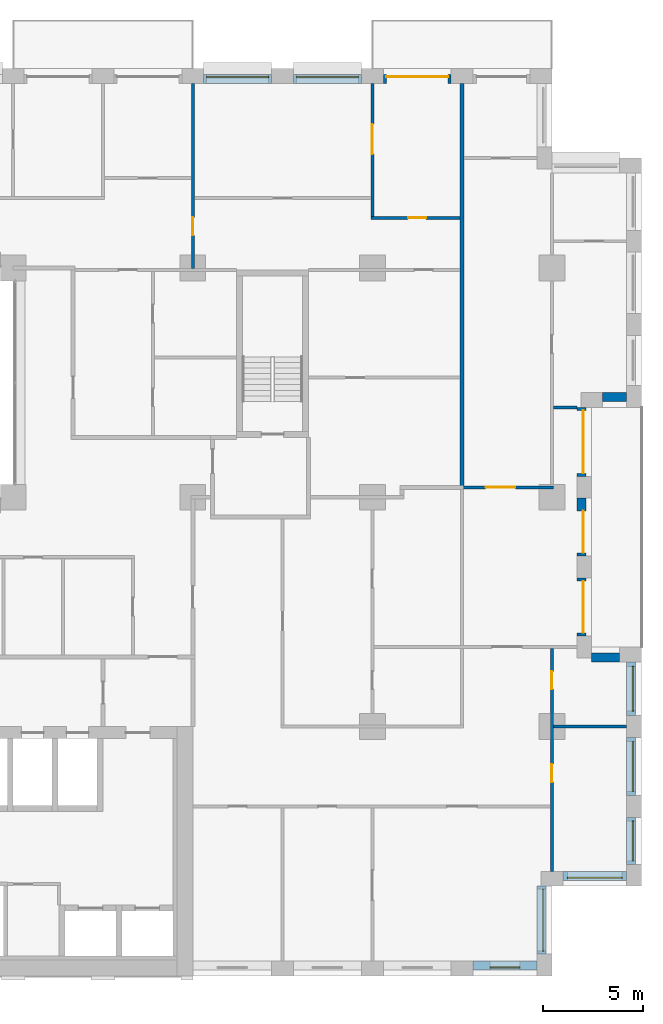
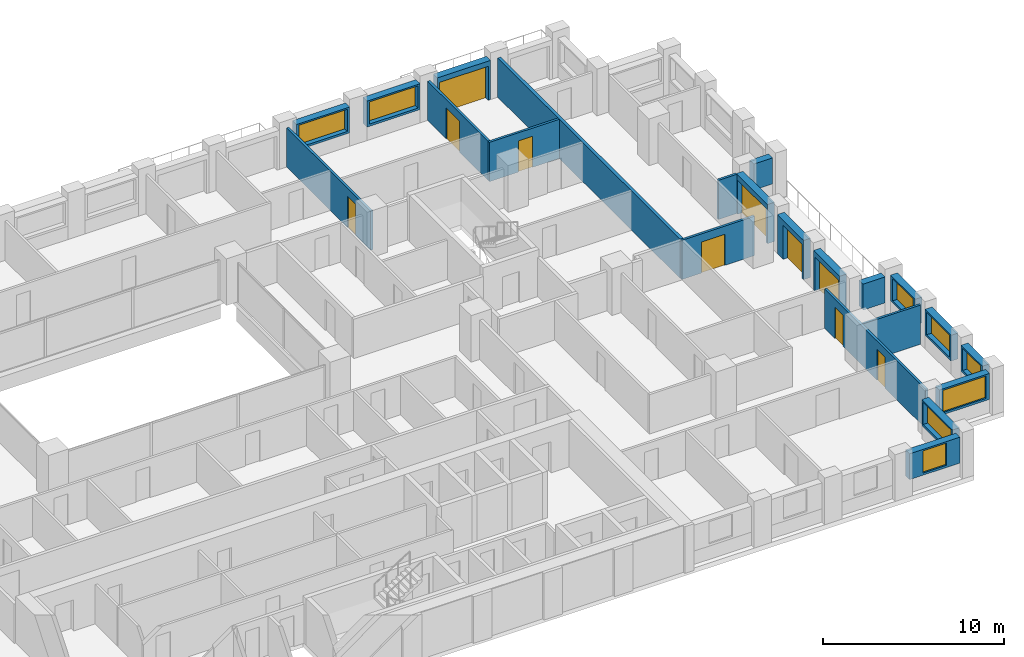
# One storey, part 14 of 17: 22 walls, 10 doors, 8 windows, 18 openings.
"""IFC4 building model written with IfcOpenShell, lengths in metres."""

from ifc_helpers import new_model, si_unit, direction, frame, frame_2d, origin, place, context, subcontext, project, spatial, rectangle, extrude, material, layer, layer_set, type_object, element, fill, save


model = new_model("IFC4")

# Units and contexts
model_context = context("Model", 3, precision=1e-05, world=origin(), true_north=direction((0.0, 1.0)))
body_context = subcontext(model_context, "Body", "Model", "MODEL_VIEW")
ifc_project = project(units=[si_unit("LENGTHUNIT", "METRE"), si_unit("AREAUNIT", "SQUARE_METRE"), si_unit("VOLUMEUNIT", "CUBIC_METRE"), si_unit("PLANEANGLEUNIT", "RADIAN"), si_unit("MASSUNIT", "GRAM", prefix="KILO")], contexts=[model_context])

# Site, building, storey
site_placement = place(None, origin())
site = spatial("IfcSite", under=ifc_project, at=site_placement, CompositionType="ELEMENT")
building_placement = place(site_placement, origin())
building = spatial("IfcBuilding", under=site, at=building_placement, Name="Brigalow Station Residences", CompositionType="ELEMENT")
storey_placement = place(building_placement, frame((0.0, 0.0, 127.64990234375)))
storey = spatial("IfcBuildingStorey", under=building, at=storey_placement, Name="L37", CompositionType="ELEMENT", Elevation=127.64990234375)

# Wall, opening, window
ifc_material_1 = material(Name="Clay brick masonry", Category="masonry")
ifc_layer_1 = layer(ifc_material_1, 0.449951171875)
ifc_layer_set_1 = layer_set([ifc_layer_1], Name="BRICK INFILL WALL 450")
wall_type_1 = type_object("IfcWallType", Name="BRICK INFILL WALL 450", PredefinedType="SOLIDWALL", material=ifc_layer_set_1)
wall_1_placement = place(storey_placement, frame((68.050048828125, 0.52490234375, 0.900146484375), z_axis=(0.0, 0.0, 1.0), x_axis=(1.0, 0.0, 0.0)))
wall_1 = element("IfcWall", 1, at=wall_1_placement, inside=storey, type_object=wall_type_1, Name="L37/ewall/W-L37-7", PredefinedType="SOLIDWALL", context=body_context, shape_type="SweptSolid", body=[
    extrude(rectangle(XDim=3.199951171875, YDim=0.449951171875, at=frame_2d((1.60009765625, 0.0))), origin(), (0.0, 0.0, 1.0), 1.75),
])
opening_1_placement = place(wall_1_placement, frame((0.85009765625, 0.0, 0.14990234375)))
opening_1 = element("IfcOpeningElement", 2, at=opening_1_placement, cuts=wall_1, Name="Opening WT-1", PredefinedType="OPENING", context=body_context, shape_type="SweptSolid", body=[
    extrude(rectangle(XDim=1.5, YDim=1.5, at=frame_2d((0.75, 0.75))), frame((0.0, 0.23486328125, 0.0), z_axis=(0.0, -1.0, 0.0), x_axis=(1.0, 0.0, 0.0)), (0.0, 0.0, 1.0), 0.469970703125),
])
ifc_material_2 = material(Name="Anodised aluminium frame with double glazing", Category="aluminium")
window_type_1 = type_object("IfcWindowType", Name="WINDOW 1500x1500", PartitioningType="SINGLE_PANEL", PredefinedType="WINDOW", material=ifc_material_2)
window_1_placement = place(opening_1_placement, origin())
window_1 = element("IfcWindow", 3, at=window_1_placement, inside=storey, type_object=window_type_1, Name="L37/window/W-L37-7", OverallHeight=1.5, OverallWidth=1.5, PartitioningType="SINGLE_PANEL", PredefinedType="WINDOW", context=body_context, shape_type="SweptSolid", body=[
    extrude(rectangle(XDim=1.5, YDim=1.5, at=frame_2d((0.75, 0.75))), frame((0.0, -0.06494140625, 0.0), z_axis=(0.0, -1.0, 0.0), x_axis=(1.0, 0.0, 0.0)), (0.0, 0.0, 1.0), 0.06005859375),
])
fill(opening_1, window_1)

wall_2_placement = place(storey_placement, frame((71.47509765625, 1.10009765625, 0.900146484375), z_axis=(0.0, 0.0, 1.0), x_axis=(0.0, 1.0, 0.0)))
wall_2 = element("IfcWall", 4, at=wall_2_placement, inside=storey, type_object=wall_type_1, Name="L37/ewall/W-L37-8", PredefinedType="SOLIDWALL", context=body_context, shape_type="SweptSolid", body=[
    extrude(rectangle(XDim=3.39990234375, YDim=0.449951171875, at=frame_2d((1.699951171875, 0.0))), origin(), (0.0, 0.0, 1.0), 1.75),
])
opening_2_placement = place(wall_2_placement, frame((0.14990234375, 0.0, 0.14990234375)))
opening_2 = element("IfcOpeningElement", 5, at=opening_2_placement, cuts=wall_2, Name="Opening WT-8", PredefinedType="OPENING", context=body_context, shape_type="SweptSolid", body=[
    extrude(rectangle(XDim=3.10009765625, YDim=1.5, at=frame_2d((1.550048828125, 0.75))), frame((0.0, 0.23486328125, 0.0), z_axis=(0.0, -1.0, 0.0), x_axis=(1.0, 0.0, 0.0)), (0.0, 0.0, 1.0), 0.469970703125),
])
ifc_material_3 = material(Name="Anodised aluminium frame with double glazing", Category="aluminium")
window_type_2 = type_object("IfcWindowType", Name="WINDOW 3100x1500", PartitioningType="SINGLE_PANEL", PredefinedType="WINDOW", material=ifc_material_3)
window_2_placement = place(opening_2_placement, origin())
window_2 = element("IfcWindow", 6, at=window_2_placement, inside=storey, type_object=window_type_2, Name="L37/window/W-L37-8", OverallHeight=1.5, OverallWidth=3.10009765625, PartitioningType="SINGLE_PANEL", PredefinedType="WINDOW", context=body_context, shape_type="SweptSolid", body=[
    extrude(rectangle(XDim=3.10009765625, YDim=1.5, at=frame_2d((1.550048828125, 0.75))), frame((0.0, -0.06494140625, 0.0), z_axis=(0.0, -1.0, 0.0), x_axis=(1.0, 0.0, 0.0)), (0.0, 0.0, 1.0), 0.06005859375),
])
fill(opening_2, window_2)

wall_3_placement = place(storey_placement, frame((72.550048828125, 5.02490234375, 0.900146484375), z_axis=(0.0, 0.0, 1.0), x_axis=(1.0, 0.0, 0.0)))
wall_3 = element("IfcWall", 7, at=wall_3_placement, inside=storey, type_object=wall_type_1, Name="L37/ewall/W-L37-9", PredefinedType="SOLIDWALL", context=body_context, shape_type="SweptSolid", body=[
    extrude(rectangle(XDim=3.199951171875, YDim=0.449951171875, at=frame_2d((1.60009765625, 0.0))), origin(), (0.0, 0.0, 1.0), 1.75),
])
opening_3_placement = place(wall_3_placement, frame((0.22509765625, 0.0, 0.14990234375)))
opening_3 = element("IfcOpeningElement", 8, at=opening_3_placement, cuts=wall_3, Name="Opening WT-3", PredefinedType="OPENING", context=body_context, shape_type="SweptSolid", body=[
    extrude(rectangle(XDim=2.75, YDim=1.5, at=frame_2d((1.375, 0.75))), frame((0.0, 0.23486328125, 0.0), z_axis=(0.0, -1.0, 0.0), x_axis=(1.0, 0.0, 0.0)), (0.0, 0.0, 1.0), 0.469970703125),
])
ifc_material_4 = material(Name="Anodised aluminium frame with double glazing", Category="aluminium")
window_type_3 = type_object("IfcWindowType", Name="WINDOW 2750x1500", PartitioningType="SINGLE_PANEL", PredefinedType="WINDOW", material=ifc_material_4)
window_3_placement = place(opening_3_placement, origin())
window_3 = element("IfcWindow", 9, at=window_3_placement, inside=storey, type_object=window_type_3, Name="L37/window/W-L37-9", OverallHeight=1.5, OverallWidth=2.75, PartitioningType="SINGLE_PANEL", PredefinedType="WINDOW", context=body_context, shape_type="SweptSolid", body=[
    extrude(rectangle(XDim=2.75, YDim=1.5, at=frame_2d((1.375, 0.75))), frame((0.0, -0.06494140625, 0.0), z_axis=(0.0, -1.0, 0.0), x_axis=(1.0, 0.0, 0.0)), (0.0, 0.0, 1.0), 0.06005859375),
])
fill(opening_3, window_3)

wall_4_placement = place(storey_placement, frame((75.97509765625, 5.60009765625, 0.900146484375), z_axis=(0.0, 0.0, 1.0), x_axis=(0.0, 1.0, 0.0)))
wall_4 = element("IfcWall", 10, at=wall_4_placement, inside=storey, type_object=wall_type_1, Name="L37/ewall/W-L37-10", PredefinedType="SOLIDWALL", context=body_context, shape_type="SweptSolid", body=[
    extrude(rectangle(XDim=2.349853515625, YDim=0.449951171875, at=frame_2d((1.1748046875, 0.0))), origin(), (0.0, 0.0, 1.0), 1.75),
])
opening_4_placement = place(wall_4_placement, frame((0.175048828125, 0.0, 0.14990234375)))
opening_4 = element("IfcOpeningElement", 11, at=opening_4_placement, cuts=wall_4, Name="Opening WT-7", PredefinedType="OPENING", context=body_context, shape_type="SweptSolid", body=[
    extrude(rectangle(XDim=2.0, YDim=1.5, at=frame_2d((1.0, 0.75))), frame((0.0, 0.23486328125, 0.0), z_axis=(0.0, -1.0, 0.0), x_axis=(1.0, 0.0, 0.0)), (0.0, 0.0, 1.0), 0.469970703125),
])
ifc_material_5 = material(Name="Anodised aluminium frame with double glazing", Category="aluminium")
window_type_4 = type_object("IfcWindowType", Name="WINDOW 2000x1500", PartitioningType="SINGLE_PANEL", PredefinedType="WINDOW", material=ifc_material_5)
window_4_placement = place(opening_4_placement, origin())
window_4 = element("IfcWindow", 12, at=window_4_placement, inside=storey, type_object=window_type_4, Name="L37/window/W-L37-10", OverallHeight=1.5, OverallWidth=2.0, PartitioningType="SINGLE_PANEL", PredefinedType="WINDOW", context=body_context, shape_type="SweptSolid", body=[
    extrude(rectangle(XDim=2.0, YDim=1.5, at=frame_2d((1.0, 0.75))), frame((0.0, -0.06494140625, 0.0), z_axis=(0.0, -1.0, 0.0), x_axis=(1.0, 0.0, 0.0)), (0.0, 0.0, 1.0), 0.06005859375),
])
fill(opening_4, window_4)

wall_5_placement = place(storey_placement, frame((75.97509765625, 9.050048828125, 0.900146484375), z_axis=(0.0, 0.0, 1.0), x_axis=(0.0, 1.0, 0.0)))
wall_5 = element("IfcWall", 13, at=wall_5_placement, inside=storey, type_object=wall_type_1, Name="L37/ewall/W-L37-11", PredefinedType="SOLIDWALL", context=body_context, shape_type="SweptSolid", body=[
    extrude(rectangle(XDim=2.89990234375, YDim=0.449951171875, at=frame_2d((1.449951171875, 0.0))), origin(), (0.0, 0.0, 1.0), 1.75),
])
opening_5_placement = place(wall_5_placement, frame((0.199951171875, 0.0, 0.14990234375)))
opening_5 = element("IfcOpeningElement", 14, at=opening_5_placement, cuts=wall_5, Name="Opening WT-5", PredefinedType="OPENING", context=body_context, shape_type="SweptSolid", body=[
    extrude(rectangle(XDim=2.5, YDim=1.5, at=frame_2d((1.25, 0.75))), frame((0.0, 0.23486328125, 0.0), z_axis=(0.0, -1.0, 0.0), x_axis=(1.0, 0.0, 0.0)), (0.0, 0.0, 1.0), 0.469970703125),
])
ifc_material_6 = material(Name="Anodised aluminium frame with double glazing", Category="aluminium")
window_type_5 = type_object("IfcWindowType", Name="WINDOW 2500x1500", PartitioningType="SINGLE_PANEL", PredefinedType="WINDOW", material=ifc_material_6)
window_5_placement = place(opening_5_placement, origin())
window_5 = element("IfcWindow", 15, at=window_5_placement, inside=storey, type_object=window_type_5, Name="L37/window/W-L37-11", OverallHeight=1.5, OverallWidth=2.5, PartitioningType="SINGLE_PANEL", PredefinedType="WINDOW", context=body_context, shape_type="SweptSolid", body=[
    extrude(rectangle(XDim=2.5, YDim=1.5, at=frame_2d((1.25, 0.75))), frame((0.0, -0.06494140625, 0.0), z_axis=(0.0, -1.0, 0.0), x_axis=(1.0, 0.0, 0.0)), (0.0, 0.0, 1.0), 0.06005859375),
])
fill(opening_5, window_5)

wall_6_placement = place(storey_placement, frame((75.97509765625, 13.050048828125, 0.900146484375), z_axis=(0.0, 0.0, 1.0), x_axis=(0.0, 1.0, 0.0)))
wall_6 = element("IfcWall", 16, at=wall_6_placement, inside=storey, type_object=wall_type_1, Name="L37/ewall/W-L37-12", PredefinedType="SOLIDWALL", context=body_context, shape_type="SweptSolid", body=[
    extrude(rectangle(XDim=2.699951171875, YDim=0.449951171875, at=frame_2d((1.35009765625, 0.0))), origin(), (0.0, 0.0, 1.0), 1.75),
])
opening_6_placement = place(wall_6_placement, frame((0.22509765625, 0.0, 0.14990234375)))
opening_6 = element("IfcOpeningElement", 17, at=opening_6_placement, cuts=wall_6, Name="Opening WT-6", PredefinedType="OPENING", context=body_context, shape_type="SweptSolid", body=[
    extrude(rectangle(XDim=2.25, YDim=1.5, at=frame_2d((1.125, 0.75))), frame((0.0, 0.23486328125, 0.0), z_axis=(0.0, -1.0, 0.0), x_axis=(1.0, 0.0, 0.0)), (0.0, 0.0, 1.0), 0.469970703125),
])
ifc_material_7 = material(Name="Anodised aluminium frame with double glazing", Category="aluminium")
window_type_6 = type_object("IfcWindowType", Name="WINDOW 2250x1500", PartitioningType="SINGLE_PANEL", PredefinedType="WINDOW", material=ifc_material_7)
window_6_placement = place(opening_6_placement, origin())
window_6 = element("IfcWindow", 18, at=window_6_placement, inside=storey, type_object=window_type_6, Name="L37/window/W-L37-12", OverallHeight=1.5, OverallWidth=2.25, PartitioningType="SINGLE_PANEL", PredefinedType="WINDOW", context=body_context, shape_type="SweptSolid", body=[
    extrude(rectangle(XDim=2.25, YDim=1.5, at=frame_2d((1.125, 0.75))), frame((0.0, -0.06494140625, 0.0), z_axis=(0.0, -1.0, 0.0), x_axis=(1.0, 0.0, 0.0)), (0.0, 0.0, 1.0), 0.06005859375),
])
fill(opening_6, window_6)

# Wall
wall_7_placement = place(storey_placement, frame((75.39990234375, 15.97509765625, 0.900146484375), z_axis=(0.0, 0.0, 1.0), x_axis=(-1.0, 0.0, 0.0)))
element("IfcWall", 19, at=wall_7_placement, inside=storey, type_object=wall_type_1, Name="L37/ewall/W-L37-13", PredefinedType="SOLIDWALL", context=body_context, shape_type="SweptSolid", body=[
    extrude(rectangle(XDim=1.39990234375, YDim=0.449951171875, at=frame_2d((0.699951171875, 0.0))), origin(), (0.0, 0.0, 1.0), 1.75),
])

# Wall, opening, door
wall_8_placement = place(storey_placement, frame((73.47509765625, 17.050048828125, 0.0), z_axis=(0.0, 0.0, 1.0), x_axis=(0.0, 1.0, 0.0)))
wall_8 = element("IfcWall", 20, at=wall_8_placement, inside=storey, type_object=wall_type_1, Name="L37/ewall/W-L37-14", PredefinedType="SOLIDWALL", context=body_context, shape_type="SweptSolid", body=[
    extrude(rectangle(XDim=2.89990234375, YDim=0.449951171875, at=frame_2d((1.449951171875, 0.0))), origin(), (0.0, 0.0, 1.0), 2.650146484375),
])
opening_7_placement = place(wall_8_placement, frame((0.14990234375, 0.0, 0.0)))
opening_7 = element("IfcOpeningElement", 21, at=opening_7_placement, cuts=wall_8, Name="Opening D-B2600", PredefinedType="OPENING", context=body_context, shape_type="SweptSolid", body=[
    extrude(rectangle(XDim=2.60009765625, YDim=2.300048828125, at=frame_2d((1.300048828125, 1.14990234375))), frame((0.0, 0.23486328125, 0.0), z_axis=(0.0, -1.0, 0.0), x_axis=(1.0, 0.0, 0.0)), (0.0, 0.0, 1.0), 0.469970703125),
])
ifc_material_8 = material(Name="Anodised aluminium frame with double glazing", Category="aluminium")
door_type_1 = type_object("IfcDoorType", Name="BALCONY SLIDING DOOR 2600x2300", OperationType="SLIDING_TO_LEFT", PredefinedType="DOOR", material=ifc_material_8)
door_1_placement = place(opening_7_placement, origin())
door_1 = element("IfcDoor", 22, at=door_1_placement, inside=storey, type_object=door_type_1, Name="L37/balcony-door/W-L37-14", OperationType="SLIDING_TO_LEFT", OverallHeight=2.300048828125, OverallWidth=2.60009765625, PredefinedType="DOOR", context=body_context, shape_type="SweptSolid", body=[
    extrude(rectangle(XDim=2.60009765625, YDim=2.300048828125, at=frame_2d((1.300048828125, 1.14990234375))), frame((0.0, -0.06982421875, 0.0), z_axis=(0.0, -1.0, 0.0), x_axis=(1.0, 0.0, 0.0)), (0.0, 0.0, 1.0), 0.050048828125),
])
fill(opening_7, door_1)

wall_9_placement = place(storey_placement, frame((73.47509765625, 21.050048828125, 0.0), z_axis=(0.0, 0.0, 1.0), x_axis=(0.0, 1.0, 0.0)))
wall_9 = element("IfcWall", 23, at=wall_9_placement, inside=storey, type_object=wall_type_1, Name="L37/ewall/W-L37-15", PredefinedType="SOLIDWALL", context=body_context, shape_type="SweptSolid", body=[
    extrude(rectangle(XDim=2.89990234375, YDim=0.449951171875, at=frame_2d((1.449951171875, 0.0))), origin(), (0.0, 0.0, 1.0), 2.650146484375),
])
opening_8_placement = place(wall_9_placement, frame((0.1650390625, 0.0, 0.0)))
opening_8 = element("IfcOpeningElement", 24, at=opening_8_placement, cuts=wall_9, Name="Opening D-B2100", PredefinedType="OPENING", context=body_context, shape_type="SweptSolid", body=[
    extrude(rectangle(XDim=2.10009765625, YDim=2.300048828125, at=frame_2d((1.050048828125, 1.14990234375))), frame((0.0, 0.23486328125, 0.0), z_axis=(0.0, -1.0, 0.0), x_axis=(1.0, 0.0, 0.0)), (0.0, 0.0, 1.0), 0.469970703125),
])
ifc_material_9 = material(Name="Anodised aluminium frame with double glazing", Category="aluminium")
door_type_2 = type_object("IfcDoorType", Name="BALCONY SLIDING DOOR 2100x2300", OperationType="SLIDING_TO_LEFT", PredefinedType="DOOR", material=ifc_material_9)
door_2_placement = place(opening_8_placement, origin())
door_2 = element("IfcDoor", 25, at=door_2_placement, inside=storey, type_object=door_type_2, Name="L37/balcony-door/W-L37-15", OperationType="SLIDING_TO_LEFT", OverallHeight=2.300048828125, OverallWidth=2.10009765625, PredefinedType="DOOR", context=body_context, shape_type="SweptSolid", body=[
    extrude(rectangle(XDim=2.10009765625, YDim=2.300048828125, at=frame_2d((1.050048828125, 1.14990234375))), frame((0.0, -0.06982421875, 0.0), z_axis=(0.0, -1.0, 0.0), x_axis=(1.0, 0.0, 0.0)), (0.0, 0.0, 1.0), 0.050048828125),
])
fill(opening_8, door_2)

wall_10_placement = place(storey_placement, frame((73.47509765625, 25.050048828125, 0.0), z_axis=(0.0, 0.0, 1.0), x_axis=(0.0, 1.0, 0.0)))
wall_10 = element("IfcWall", 26, at=wall_10_placement, inside=storey, type_object=wall_type_1, Name="L37/ewall/W-L37-16", PredefinedType="SOLIDWALL", context=body_context, shape_type="SweptSolid", body=[
    extrude(rectangle(XDim=3.449951171875, YDim=0.449951171875, at=frame_2d((1.72509765625, 0.0))), origin(), (0.0, 0.0, 1.0), 2.650146484375),
])
opening_9_placement = place(wall_10_placement, frame((0.14990234375, 0.0, 0.0)))
opening_9 = element("IfcOpeningElement", 27, at=opening_9_placement, cuts=wall_10, Name="Opening D-B3150", PredefinedType="OPENING", context=body_context, shape_type="SweptSolid", body=[
    extrude(rectangle(XDim=3.14990234375, YDim=2.300048828125, at=frame_2d((1.574951171875, 1.14990234375))), frame((0.0, 0.23486328125, 0.0), z_axis=(0.0, -1.0, 0.0), x_axis=(1.0, 0.0, 0.0)), (0.0, 0.0, 1.0), 0.469970703125),
])
ifc_material_10 = material(Name="Anodised aluminium frame with double glazing", Category="aluminium")
door_type_3 = type_object("IfcDoorType", Name="BALCONY SLIDING DOOR 3150x2300", OperationType="SLIDING_TO_LEFT", PredefinedType="DOOR", material=ifc_material_10)
door_3_placement = place(opening_9_placement, origin())
door_3 = element("IfcDoor", 28, at=door_3_placement, inside=storey, type_object=door_type_3, Name="L37/balcony-door/W-L37-16", OperationType="SLIDING_TO_LEFT", OverallHeight=2.300048828125, OverallWidth=3.14990234375, PredefinedType="DOOR", context=body_context, shape_type="SweptSolid", body=[
    extrude(rectangle(XDim=3.14990234375, YDim=2.300048828125, at=frame_2d((1.574951171875, 1.14990234375))), frame((0.0, -0.06982421875, 0.0), z_axis=(0.0, -1.0, 0.0), x_axis=(1.0, 0.0, 0.0)), (0.0, 0.0, 1.0), 0.050048828125),
])
fill(opening_9, door_3)

# Wall
wall_11_placement = place(storey_placement, frame((74.550048828125, 29.02490234375, 0.900146484375), z_axis=(0.0, 0.0, 1.0), x_axis=(1.0, 0.0, 0.0)))
element("IfcWall", 29, at=wall_11_placement, inside=storey, type_object=wall_type_1, Name="L37/ewall/W-L37-17", PredefinedType="SOLIDWALL", context=body_context, shape_type="SweptSolid", body=[
    extrude(rectangle(XDim=1.199951171875, YDim=0.449951171875, at=frame_2d((0.60009765625, 0.0))), origin(), (0.0, 0.0, 1.0), 1.75),
])

# Wall, opening, door
wall_12_placement = place(storey_placement, frame((66.949951171875, 44.97509765625, 0.0), z_axis=(0.0, 0.0, 1.0), x_axis=(-1.0, 0.0, 0.0)))
wall_12 = element("IfcWall", 30, at=wall_12_placement, inside=storey, type_object=wall_type_1, Name="L37/ewall/W-L37-24", PredefinedType="SOLIDWALL", context=body_context, shape_type="SweptSolid", body=[
    extrude(rectangle(XDim=3.39990234375, YDim=0.449951171875, at=frame_2d((1.699951171875, 0.0))), origin(), (0.0, 0.0, 1.0), 2.650146484375),
])
opening_10_placement = place(wall_12_placement, frame((0.14990234375, 0.0, 0.0)))
opening_10 = element("IfcOpeningElement", 31, at=opening_10_placement, cuts=wall_12, Name="Opening D-B3100", PredefinedType="OPENING", context=body_context, shape_type="SweptSolid", body=[
    extrude(rectangle(XDim=3.10009765625, YDim=2.300048828125, at=frame_2d((1.550048828125, 1.14990234375))), frame((0.0, 0.23486328125, 0.0), z_axis=(0.0, -1.0, 0.0), x_axis=(1.0, 0.0, 0.0)), (0.0, 0.0, 1.0), 0.469970703125),
])
ifc_material_11 = material(Name="Anodised aluminium frame with double glazing", Category="aluminium")
door_type_4 = type_object("IfcDoorType", Name="BALCONY SLIDING DOOR 3100x2300", OperationType="SLIDING_TO_LEFT", PredefinedType="DOOR", material=ifc_material_11)
door_4_placement = place(opening_10_placement, origin())
door_4 = element("IfcDoor", 32, at=door_4_placement, inside=storey, type_object=door_type_4, Name="L37/balcony-door/W-L37-24", OperationType="SLIDING_TO_LEFT", OverallHeight=2.300048828125, OverallWidth=3.10009765625, PredefinedType="DOOR", context=body_context, shape_type="SweptSolid", body=[
    extrude(rectangle(XDim=3.10009765625, YDim=2.300048828125, at=frame_2d((1.550048828125, 1.14990234375))), frame((0.0, -0.06982421875, 0.0), z_axis=(0.0, -1.0, 0.0), x_axis=(1.0, 0.0, 0.0)), (0.0, 0.0, 1.0), 0.050048828125),
])
fill(opening_10, door_4)

# Wall, opening, window
wall_13_placement = place(storey_placement, frame((62.449951171875, 44.97509765625, 0.900146484375), z_axis=(0.0, 0.0, 1.0), x_axis=(-1.0, 0.0, 0.0)))
wall_13 = element("IfcWall", 33, at=wall_13_placement, inside=storey, type_object=wall_type_1, Name="L37/ewall/W-L37-25", PredefinedType="SOLIDWALL", context=body_context, shape_type="SweptSolid", body=[
    extrude(rectangle(XDim=3.39990234375, YDim=0.449951171875, at=frame_2d((1.699951171875, 0.0))), origin(), (0.0, 0.0, 1.0), 1.75),
])
opening_11_placement = place(wall_13_placement, frame((0.14990234375, 0.0, 0.14990234375)))
opening_11 = element("IfcOpeningElement", 34, at=opening_11_placement, cuts=wall_13, Name="Opening WT-8", PredefinedType="OPENING", context=body_context, shape_type="SweptSolid", body=[
    extrude(rectangle(XDim=3.10009765625, YDim=1.5, at=frame_2d((1.550048828125, 0.75))), frame((0.0, 0.23486328125, 0.0), z_axis=(0.0, -1.0, 0.0), x_axis=(1.0, 0.0, 0.0)), (0.0, 0.0, 1.0), 0.469970703125),
])
window_7_placement = place(opening_11_placement, origin())
window_7 = element("IfcWindow", 35, at=window_7_placement, inside=storey, type_object=window_type_2, Name="L37/window/W-L37-25", OverallHeight=1.5, OverallWidth=3.10009765625, PartitioningType="SINGLE_PANEL", PredefinedType="WINDOW", context=body_context, shape_type="SweptSolid", body=[
    extrude(rectangle(XDim=3.10009765625, YDim=1.5, at=frame_2d((1.550048828125, 0.75))), frame((0.0, -0.06494140625, 0.0), z_axis=(0.0, -1.0, 0.0), x_axis=(1.0, 0.0, 0.0)), (0.0, 0.0, 1.0), 0.06005859375),
])
fill(opening_11, window_7)

wall_14_placement = place(storey_placement, frame((57.949951171875, 44.97509765625, 0.900146484375), z_axis=(0.0, 0.0, 1.0), x_axis=(-1.0, 0.0, 0.0)))
wall_14 = element("IfcWall", 36, at=wall_14_placement, inside=storey, type_object=wall_type_1, Name="L37/ewall/W-L37-26", PredefinedType="SOLIDWALL", context=body_context, shape_type="SweptSolid", body=[
    extrude(rectangle(XDim=3.39990234375, YDim=0.449951171875, at=frame_2d((1.699951171875, 0.0))), origin(), (0.0, 0.0, 1.0), 1.75),
])
opening_12_placement = place(wall_14_placement, frame((0.14990234375, 0.0, 0.14990234375)))
opening_12 = element("IfcOpeningElement", 37, at=opening_12_placement, cuts=wall_14, Name="Opening WT-8", PredefinedType="OPENING", context=body_context, shape_type="SweptSolid", body=[
    extrude(rectangle(XDim=3.10009765625, YDim=1.5, at=frame_2d((1.550048828125, 0.75))), frame((0.0, 0.23486328125, 0.0), z_axis=(0.0, -1.0, 0.0), x_axis=(1.0, 0.0, 0.0)), (0.0, 0.0, 1.0), 0.469970703125),
])
window_8_placement = place(opening_12_placement, origin())
window_8 = element("IfcWindow", 38, at=window_8_placement, inside=storey, type_object=window_type_2, Name="L37/window/W-L37-26", OverallHeight=1.5, OverallWidth=3.10009765625, PartitioningType="SINGLE_PANEL", PredefinedType="WINDOW", context=body_context, shape_type="SweptSolid", body=[
    extrude(rectangle(XDim=3.10009765625, YDim=1.5, at=frame_2d((1.550048828125, 0.75))), frame((0.0, -0.06494140625, 0.0), z_axis=(0.0, -1.0, 0.0), x_axis=(1.0, 0.0, 0.0)), (0.0, 0.0, 1.0), 0.06005859375),
])
fill(opening_12, window_8)

# Wall
ifc_material_12 = material(Name="Plasterboard on steel stud partition", Category="steel")
ifc_layer_2 = layer(ifc_material_12, 0.14990234375)
ifc_layer_set_2 = layer_set([ifc_layer_2], Name="FLAT PARTITION 150")
wall_type_2 = type_object("IfcWallType", Name="FLAT PARTITION 150", PredefinedType="PARTITIONING", material=ifc_layer_set_2)
wall_15_placement = place(storey_placement, frame((72.074951171875, 12.5, 0.0), z_axis=(0.0, 0.0, 1.0), x_axis=(1.0, 0.0, 0.0)))
element("IfcWall", 39, at=wall_15_placement, inside=storey, type_object=wall_type_2, Name="PW-2F12", PredefinedType="PARTITIONING", context=body_context, shape_type="SweptSolid", body=[
    extrude(rectangle(XDim=3.675048828125, YDim=0.14990234375, at=frame_2d((1.83740234375, 0.0))), origin(), (0.0, 0.0, 1.0), 2.650146484375),
])

# Wall, opening, door
wall_16_placement = place(storey_placement, frame((67.425048828125, 24.5, 0.0), z_axis=(0.0, 0.0, 1.0), x_axis=(1.0, 0.0, 0.0)))
wall_16 = element("IfcWall", 40, at=wall_16_placement, inside=storey, type_object=wall_type_2, Name="PW-2F18", PredefinedType="PARTITIONING", context=body_context, shape_type="SweptSolid", body=[
    extrude(rectangle(XDim=4.64990234375, YDim=0.14990234375, at=frame_2d((2.324951171875, 0.0))), origin(), (0.0, 0.0, 1.0), 2.650146484375),
])
opening_13_placement = place(wall_16_placement, frame((1.25, 0.0, 0.0)))
opening_13 = element("IfcOpeningElement", 41, at=opening_13_placement, cuts=wall_16, Name="Opening D-2F46", PredefinedType="OPENING", context=body_context, shape_type="SweptSolid", body=[
    extrude(rectangle(XDim=1.5, YDim=2.10009765625, at=frame_2d((0.75, 1.050048828125))), frame((0.0, 0.0849609375, 0.0), z_axis=(0.0, -1.0, 0.0), x_axis=(1.0, 0.0, 0.0)), (0.0, 0.0, 1.0), 0.169921875),
])
ifc_material_13 = material(Name="Solid-core timber door leaf", Category="wood")
door_type_5 = type_object("IfcDoorType", Name="INTERNAL DOUBLE DOOR 1500 x 2100", OperationType="DOUBLE_DOOR_SINGLE_SWING", PredefinedType="DOOR", material=ifc_material_13)
door_5_placement = place(opening_13_placement, frame((1.5, 0.0, 0.0), z_axis=(0.0, 0.0, 1.0), x_axis=(-1.0, 0.0, 0.0)))
door_5 = element("IfcDoor", 42, at=door_5_placement, inside=storey, type_object=door_type_5, Name="D-2F46", OperationType="DOUBLE_DOOR_SINGLE_SWING", OverallHeight=2.10009765625, OverallWidth=1.5, PredefinedType="DOOR", context=body_context, shape_type="SweptSolid", body=[
    extrude(rectangle(XDim=1.5, YDim=2.10009765625, at=frame_2d((0.75, 1.050048828125))), frame((0.0, 0.02490234375, 0.0), z_axis=(0.0, -1.0, 0.0), x_axis=(1.0, 0.0, 0.0)), (0.0, 0.0, 1.0), 0.050048828125),
])
fill(opening_13, door_5)

# Wall
wall_17_placement = place(storey_placement, frame((72.074951171875, 28.5, 0.0), z_axis=(0.0, 0.0, 1.0), x_axis=(1.0, 0.0, 0.0)))
element("IfcWall", 43, at=wall_17_placement, inside=storey, type_object=wall_type_2, Name="PW-2F21", PredefinedType="PARTITIONING", context=body_context, shape_type="SweptSolid", body=[
    extrude(rectangle(XDim=1.175048828125, YDim=0.14990234375, at=frame_2d((0.58740234375, 0.0))), origin(), (0.0, 0.0, 1.0), 2.650146484375),
])

# Wall, opening, door
wall_18_placement = place(storey_placement, frame((62.925048828125, 38.0, 0.0), z_axis=(0.0, 0.0, 1.0), x_axis=(1.0, 0.0, 0.0)))
wall_18 = element("IfcWall", 44, at=wall_18_placement, inside=storey, type_object=wall_type_2, Name="PW-2F36", PredefinedType="PARTITIONING", context=body_context, shape_type="SweptSolid", body=[
    extrude(rectangle(XDim=4.474853515625, YDim=0.14990234375, at=frame_2d((2.2373046875, 0.0))), origin(), (0.0, 0.0, 1.0), 2.650146484375),
])
opening_14_placement = place(wall_18_placement, frame((1.875, 0.0, 0.0)))
opening_14 = element("IfcOpeningElement", 45, at=opening_14_placement, cuts=wall_18, Name="Opening D-2F31", PredefinedType="OPENING", context=body_context, shape_type="SweptSolid", body=[
    extrude(rectangle(XDim=0.89990234375, YDim=2.10009765625, at=frame_2d((0.449951171875, 1.050048828125))), frame((0.0, 0.0849609375, 0.0), z_axis=(0.0, -1.0, 0.0), x_axis=(1.0, 0.0, 0.0)), (0.0, 0.0, 1.0), 0.169921875),
])
ifc_material_14 = material(Name="Solid-core timber door leaf", Category="wood")
door_type_6 = type_object("IfcDoorType", Name="INTERNAL DOOR 900 x 2100", OperationType="SINGLE_SWING_LEFT", PredefinedType="DOOR", material=ifc_material_14)
door_6_placement = place(opening_14_placement, origin())
door_6 = element("IfcDoor", 46, at=door_6_placement, inside=storey, type_object=door_type_6, Name="D-2F31", OperationType="SINGLE_SWING_RIGHT", OverallHeight=2.10009765625, OverallWidth=0.89990234375, PredefinedType="DOOR", context=body_context, shape_type="SweptSolid", body=[
    extrude(rectangle(XDim=0.89990234375, YDim=2.10009765625, at=frame_2d((0.449951171875, 1.050048828125))), frame((0.0, 0.02490234375, 0.0), z_axis=(0.0, -1.0, 0.0), x_axis=(1.0, 0.0, 0.0)), (0.0, 0.0, 1.0), 0.050048828125),
])
fill(opening_14, door_6)

wall_19_placement = place(storey_placement, frame((54.0, 35.47509765625, 0.0), z_axis=(0.0, 0.0, 1.0), x_axis=(0.0, 1.0, 0.0)))
wall_19 = element("IfcWall", 47, at=wall_19_placement, inside=storey, type_object=wall_type_2, Name="PW-2F41", PredefinedType="PARTITIONING", context=body_context, shape_type="SweptSolid", body=[
    extrude(rectangle(XDim=9.27490234375, YDim=0.14990234375, at=frame_2d((4.637451171875, 0.0))), origin(), (0.0, 0.0, 1.0), 2.650146484375),
])
opening_15_placement = place(wall_19_placement, frame((1.64990234375, 0.0, 0.0)))
opening_15 = element("IfcOpeningElement", 48, at=opening_15_placement, cuts=wall_19, Name="Opening D-2F29", PredefinedType="OPENING", context=body_context, shape_type="SweptSolid", body=[
    extrude(rectangle(XDim=0.89990234375, YDim=2.10009765625, at=frame_2d((0.449951171875, 1.050048828125))), frame((0.0, 0.0849609375, 0.0), z_axis=(0.0, -1.0, 0.0), x_axis=(1.0, 0.0, 0.0)), (0.0, 0.0, 1.0), 0.169921875),
])
door_7_placement = place(opening_15_placement, frame((0.89990234375, 0.0, 0.0), z_axis=(0.0, 0.0, 1.0), x_axis=(-1.0, 0.0, 0.0)))
door_7 = element("IfcDoor", 49, at=door_7_placement, inside=storey, type_object=door_type_6, Name="D-2F29", OperationType="SINGLE_SWING_LEFT", OverallHeight=2.10009765625, OverallWidth=0.89990234375, PredefinedType="DOOR", context=body_context, shape_type="SweptSolid", body=[
    extrude(rectangle(XDim=0.89990234375, YDim=2.10009765625, at=frame_2d((0.449951171875, 1.050048828125))), frame((0.0, 0.02490234375, 0.0), z_axis=(0.0, -1.0, 0.0), x_axis=(1.0, 0.0, 0.0)), (0.0, 0.0, 1.0), 0.050048828125),
])
fill(opening_15, door_7)

wall_20_placement = place(storey_placement, frame((63.0, 38.074951171875, 0.0), z_axis=(0.0, 0.0, 1.0), x_axis=(0.0, 1.0, 0.0)))
wall_20 = element("IfcWall", 50, at=wall_20_placement, inside=storey, type_object=wall_type_2, Name="PW-2F63", PredefinedType="PARTITIONING", context=body_context, shape_type="SweptSolid", body=[
    extrude(rectangle(XDim=6.675048828125, YDim=0.14990234375, at=frame_2d((3.33740234375, 0.0))), origin(), (0.0, 0.0, 1.0), 2.650146484375),
])
opening_16_placement = place(wall_20_placement, frame((3.125, 0.0, 0.0)))
opening_16 = element("IfcOpeningElement", 51, at=opening_16_placement, cuts=wall_20, Name="Opening D-2F32", PredefinedType="OPENING", context=body_context, shape_type="SweptSolid", body=[
    extrude(rectangle(XDim=1.5, YDim=2.10009765625, at=frame_2d((0.75, 1.050048828125))), frame((0.0, 0.0849609375, 0.0), z_axis=(0.0, -1.0, 0.0), x_axis=(1.0, 0.0, 0.0)), (0.0, 0.0, 1.0), 0.169921875),
])
door_8_placement = place(opening_16_placement, frame((1.5, 0.0, 0.0), z_axis=(0.0, 0.0, 1.0), x_axis=(-1.0, 0.0, 0.0)))
door_8 = element("IfcDoor", 52, at=door_8_placement, inside=storey, type_object=door_type_5, Name="D-2F32", OperationType="DOUBLE_DOOR_SINGLE_SWING", OverallHeight=2.10009765625, OverallWidth=1.5, PredefinedType="DOOR", context=body_context, shape_type="SweptSolid", body=[
    extrude(rectangle(XDim=1.5, YDim=2.10009765625, at=frame_2d((0.75, 1.050048828125))), frame((0.0, 0.02490234375, 0.0), z_axis=(0.0, -1.0, 0.0), x_axis=(1.0, 0.0, 0.0)), (0.0, 0.0, 1.0), 0.050048828125),
])
fill(opening_16, door_8)

# Wall, openings, doors
wall_21_placement = place(storey_placement, frame((72.0, 5.25, 0.0), z_axis=(0.0, 0.0, 1.0), x_axis=(0.0, 1.0, 0.0)))
wall_21 = element("IfcWall", 53, at=wall_21_placement, inside=storey, type_object=wall_type_2, Name="PW-2F70", PredefinedType="PARTITIONING", context=body_context, shape_type="SweptSolid", body=[
    extrude(rectangle(XDim=11.175048828125, YDim=0.14990234375, at=frame_2d((5.58740234375, 0.0))), origin(), (0.0, 0.0, 1.0), 2.650146484375),
])
opening_17_placement = place(wall_21_placement, frame((4.47509765625, 0.0, 0.0)))
opening_17 = element("IfcOpeningElement", 54, at=opening_17_placement, cuts=wall_21, Name="Opening D-2F40", PredefinedType="OPENING", context=body_context, shape_type="SweptSolid", body=[
    extrude(rectangle(XDim=0.89990234375, YDim=2.10009765625, at=frame_2d((0.449951171875, 1.050048828125))), frame((0.0, 0.0849609375, 0.0), z_axis=(0.0, -1.0, 0.0), x_axis=(1.0, 0.0, 0.0)), (0.0, 0.0, 1.0), 0.169921875),
])
opening_18_placement = place(wall_21_placement, frame((9.125, 0.0, 0.0)))
opening_18 = element("IfcOpeningElement", 55, at=opening_18_placement, cuts=wall_21, Name="Opening D-2F44", PredefinedType="OPENING", context=body_context, shape_type="SweptSolid", body=[
    extrude(rectangle(XDim=0.89990234375, YDim=2.10009765625, at=frame_2d((0.449951171875, 1.050048828125))), frame((0.0, 0.0849609375, 0.0), z_axis=(0.0, -1.0, 0.0), x_axis=(1.0, 0.0, 0.0)), (0.0, 0.0, 1.0), 0.169921875),
])
door_9_placement = place(opening_17_placement, frame((0.89990234375, 0.0, 0.0), z_axis=(0.0, 0.0, 1.0), x_axis=(-1.0, 0.0, 0.0)))
door_9 = element("IfcDoor", 56, at=door_9_placement, inside=storey, type_object=door_type_6, Name="D-2F40", OperationType="SINGLE_SWING_LEFT", OverallHeight=2.10009765625, OverallWidth=0.89990234375, PredefinedType="DOOR", context=body_context, shape_type="SweptSolid", body=[
    extrude(rectangle(XDim=0.89990234375, YDim=2.10009765625, at=frame_2d((0.449951171875, 1.050048828125))), frame((0.0, 0.02490234375, 0.0), z_axis=(0.0, -1.0, 0.0), x_axis=(1.0, 0.0, 0.0)), (0.0, 0.0, 1.0), 0.050048828125),
])
fill(opening_17, door_9)
door_10_placement = place(opening_18_placement, frame((0.89990234375, 0.0, 0.0), z_axis=(0.0, 0.0, 1.0), x_axis=(-1.0, 0.0, 0.0)))
door_10 = element("IfcDoor", 57, at=door_10_placement, inside=storey, type_object=door_type_6, Name="D-2F44", OperationType="SINGLE_SWING_LEFT", OverallHeight=2.10009765625, OverallWidth=0.89990234375, PredefinedType="DOOR", context=body_context, shape_type="SweptSolid", body=[
    extrude(rectangle(XDim=0.89990234375, YDim=2.10009765625, at=frame_2d((0.449951171875, 1.050048828125))), frame((0.0, 0.02490234375, 0.0), z_axis=(0.0, -1.0, 0.0), x_axis=(1.0, 0.0, 0.0)), (0.0, 0.0, 1.0), 0.050048828125),
])
fill(opening_18, door_10)

# Wall
ifc_material_15 = material(Name="Plasterboard on steel stud partition", Category="steel")
ifc_layer_3 = layer(ifc_material_15, 0.199951171875)
ifc_layer_set_3 = layer_set([ifc_layer_3], Name="PARTY AND CORRIDOR WALL 200")
wall_type_3 = type_object("IfcWallType", Name="PARTY AND CORRIDOR WALL 200", PredefinedType="PARTITIONING", material=ifc_layer_set_3)
wall_22_placement = place(storey_placement, frame((67.5, 24.574951171875, 0.0), z_axis=(0.0, 0.0, 1.0), x_axis=(0.0, 1.0, 0.0)))
element("IfcWall", 58, at=wall_22_placement, inside=storey, type_object=wall_type_3, Name="PW-2F66", PredefinedType="PARTITIONING", context=body_context, shape_type="SweptSolid", body=[
    extrude(rectangle(XDim=20.175048828125, YDim=0.199951171875, at=frame_2d((10.08740234375, 0.0))), origin(), (0.0, 0.0, 1.0), 2.650146484375),
])

save(model, "model.ifc")
